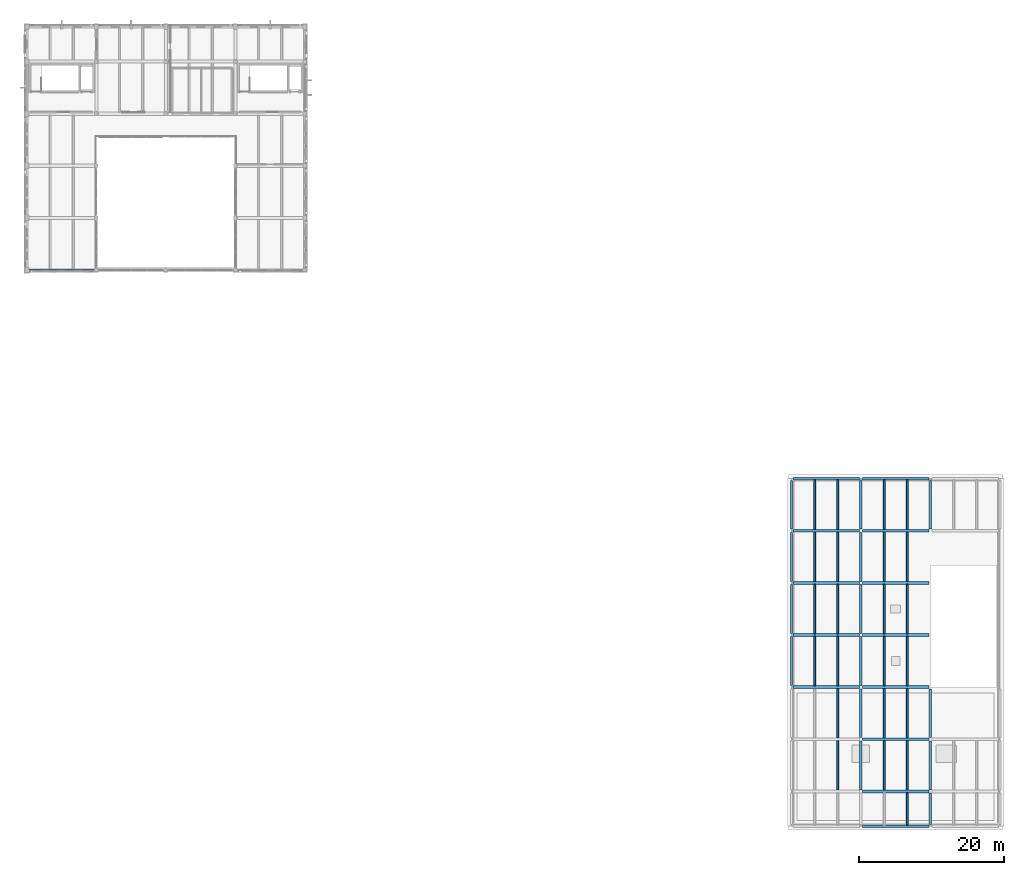
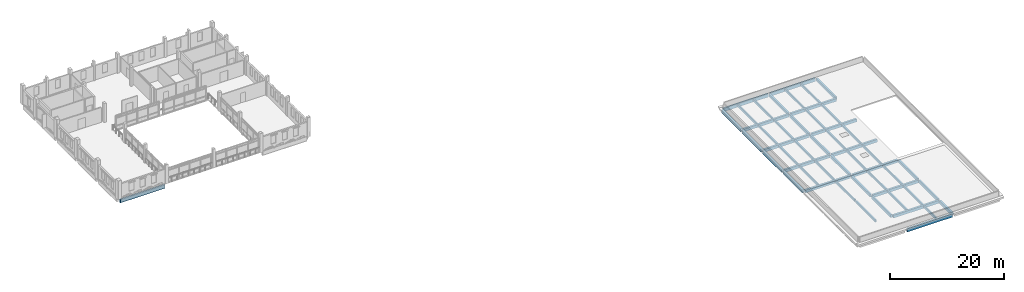
# One storey, part 2 of 24: 51 beams.
"""IFC4 building model written with IfcOpenShell, lengths in metres."""

from ifc_helpers import new_model, si_unit, direction, frame, origin, origin_2d, place, context, subcontext, project, spatial, rectangle, extrude, material, material_profile, profile_set, type_object, element, save


model = new_model("IFC4")

# Units and contexts
model_context = context("Model", 3, precision=1e-05, world=origin(), true_north=direction((0.0, 1.0)))
body_context = subcontext(model_context, "Body", "Model", "MODEL_VIEW")
ifc_project = project(units=[si_unit("LENGTHUNIT", "METRE"), si_unit("AREAUNIT", "SQUARE_METRE"), si_unit("VOLUMEUNIT", "CUBIC_METRE"), si_unit("PLANEANGLEUNIT", "RADIAN"), si_unit("MASSUNIT", "GRAM", prefix="KILO")], contexts=[model_context])

# Site, building, storey
site_placement = place(None, origin())
site = spatial("IfcSite", under=ifc_project, at=site_placement, CompositionType="ELEMENT")
building_placement = place(site_placement, origin())
building = spatial("IfcBuilding", under=site, at=building_placement, Name="Asteropetra Specialist Clinic", CompositionType="ELEMENT")
storey_placement = place(building_placement, frame((0.0, 0.0, 20.739990234375)))
storey = spatial("IfcBuildingStorey", under=building, at=storey_placement, Name="L05", CompositionType="ELEMENT", Elevation=20.739990234375)

# Beams
ifc_material_1 = material(Name="Concrete C35/45", Category="concrete")
ifc_material_profile_1 = material_profile(ifc_material_1, rectangle(XDim=0.35009765625, YDim=0.60009765625, at=origin_2d()), Name="RCB 350x600")
ifc_profile_set_1 = profile_set([ifc_material_profile_1], Name="Concrete C35/45")
beam_type_1 = type_object("IfcBeamType", Name="BM-RC350x600", PredefinedType="BEAM", material=ifc_profile_set_1)
beam_1_placement = place(storey_placement, frame((124.800048828125, 0.22509765625, -0.570068359375), z_axis=(0.0, 1.0, 0.0), x_axis=(-1.0, 0.0, 0.0)))
element("IfcBeam", 1, at=beam_1_placement, inside=storey, type_object=beam_type_1, Name="Beam BBM09-2064", PredefinedType="BEAM", context=body_context, shape_type="SweptSolid", body=[
    extrude(rectangle(XDim=0.35009765625, YDim=0.60009765625, at=origin_2d()), origin(), (0.0, 0.0, 1.0), 4.349853515625),
])
for number, where, z_axis, x_axis, name in (
    (2, (115.199951171875, 5.02490234375, -0.570068359375), (0.0, 1.0, 0.0), (-1.0, 0.0, 0.0), "Beam BBM09-2073"),
    (3, (124.800048828125, 5.02490234375, -0.570068359375), (0.0, 1.0, 0.0), (-1.0, 0.0, 0.0), "Beam BBM09-2074"),
    (4, (115.199951171875, 12.22509765625, -0.570068359375), (0.0, 1.0, 0.0), (-1.0, 0.0, 0.0), "Beam BBM09-2083"),
    (5, (124.800048828125, 12.22509765625, -0.570068359375), (0.0, 1.0, 0.0), (-1.0, 0.0, 0.0), "Beam BBM09-2084"),
    (6, (115.199951171875, 19.425048828125, -0.570068359375), (0.0, 1.0, 0.0), (-1.0, 0.0, 0.0), "Beam BBM09-2091"),
    (7, (115.199951171875, 26.625, -0.570068359375), (0.0, 1.0, 0.0), (-1.0, 0.0, 0.0), "Beam BBM09-2097"),
    (8, (115.199951171875, 33.824951171875, -0.570068359375), (0.0, 1.0, 0.0), (-1.0, 0.0, 0.0), "Beam BBM09-2103"),
    (9, (115.199951171875, 41.02490234375, -0.570068359375), (0.0, 1.0, 0.0), (-1.0, 0.0, 0.0), "Beam BBM09-2109"),
    (10, (124.800048828125, 41.02490234375, -0.570068359375), (0.0, 1.0, 0.0), (-1.0, 0.0, 0.0), "Beam BBM09-2110"),
):
    element("IfcBeam", number, at=place(storey_placement, frame(where, z_axis=z_axis, x_axis=x_axis)), inside=storey, type_object=beam_type_1, Name=name, PredefinedType="BEAM", context=body_context, shape_type="SweptSolid", body=[
        extrude(rectangle(XDim=0.35009765625, YDim=0.60009765625, at=origin_2d()), origin(), (0.0, 0.0, 1.0), 6.75),
    ])
ifc_material_2 = material(Name="Concrete C35/45", Category="concrete")
ifc_material_profile_2 = material_profile(ifc_material_2, rectangle(XDim=0.39990234375, YDim=0.60009765625, at=origin_2d()), Name="RCB 400x600")
ifc_profile_set_2 = profile_set([ifc_material_profile_2], Name="Concrete C35/45")
beam_type_2 = type_object("IfcBeamType", Name="BM-RC400x600", PredefinedType="BEAM", material=ifc_profile_set_2)
for number, where, z_axis, x_axis, name in (
    (11, (115.425048828125, 4.800048828125, -0.570068359375), (1.0, 0.0, 0.0), (0.0, 1.0, 0.0), "Beam BBM08-2045"),
    (12, (115.425048828125, 12.0, -0.570068359375), (1.0, 0.0, 0.0), (0.0, 1.0, 0.0), "Beam BBM08-2048"),
):
    element("IfcBeam", number, at=place(storey_placement, frame(where, z_axis=z_axis, x_axis=x_axis)), inside=storey, type_object=beam_type_2, Name=name, PredefinedType="BEAM", context=body_context, shape_type="SweptSolid", body=[
        extrude(rectangle(XDim=0.39990234375, YDim=0.60009765625, at=origin_2d()), origin(), (0.0, 0.0, 1.0), 9.14990234375),
    ])
beam_2_placement = place(storey_placement, frame((105.824951171875, 19.199951171875, -0.570068359375), z_axis=(1.0, 0.0, 0.0), x_axis=(0.0, 1.0, 0.0)))
element("IfcBeam", 13, at=beam_2_placement, inside=storey, type_object=beam_type_2, Name="Beam BBM08-2050", PredefinedType="BEAM", context=body_context, shape_type="SweptSolid", body=[
    extrude(rectangle(XDim=0.39990234375, YDim=0.60009765625, at=origin_2d()), origin(), (0.0, 0.0, 1.0), 9.150146484375),
])
beam_3_placement = place(storey_placement, frame((115.425048828125, 19.199951171875, -0.570068359375), z_axis=(1.0, 0.0, 0.0), x_axis=(0.0, 1.0, 0.0)))
element("IfcBeam", 14, at=beam_3_placement, inside=storey, type_object=beam_type_2, Name="Beam BBM08-2051", PredefinedType="BEAM", context=body_context, shape_type="SweptSolid", body=[
    extrude(rectangle(XDim=0.39990234375, YDim=0.60009765625, at=origin_2d()), origin(), (0.0, 0.0, 1.0), 9.14990234375),
])
beam_4_placement = place(storey_placement, frame((105.824951171875, 26.39990234375, -0.570068359375), z_axis=(1.0, 0.0, 0.0), x_axis=(0.0, 1.0, 0.0)))
element("IfcBeam", 15, at=beam_4_placement, inside=storey, type_object=beam_type_2, Name="Beam BBM08-2052", PredefinedType="BEAM", context=body_context, shape_type="SweptSolid", body=[
    extrude(rectangle(XDim=0.39990234375, YDim=0.60009765625, at=origin_2d()), origin(), (0.0, 0.0, 1.0), 9.150146484375),
])
beam_5_placement = place(storey_placement, frame((115.425048828125, 26.39990234375, -0.570068359375), z_axis=(1.0, 0.0, 0.0), x_axis=(0.0, 1.0, 0.0)))
element("IfcBeam", 16, at=beam_5_placement, inside=storey, type_object=beam_type_2, Name="Beam BBM08-2053", PredefinedType="BEAM", context=body_context, shape_type="SweptSolid", body=[
    extrude(rectangle(XDim=0.39990234375, YDim=0.60009765625, at=origin_2d()), origin(), (0.0, 0.0, 1.0), 9.14990234375),
])
beam_6_placement = place(storey_placement, frame((105.824951171875, 33.60009765625, -0.570068359375), z_axis=(1.0, 0.0, 0.0), x_axis=(0.0, 1.0, 0.0)))
element("IfcBeam", 17, at=beam_6_placement, inside=storey, type_object=beam_type_2, Name="Beam BBM08-2054", PredefinedType="BEAM", context=body_context, shape_type="SweptSolid", body=[
    extrude(rectangle(XDim=0.39990234375, YDim=0.60009765625, at=origin_2d()), origin(), (0.0, 0.0, 1.0), 9.150146484375),
])
beam_7_placement = place(storey_placement, frame((115.425048828125, 33.60009765625, -0.570068359375), z_axis=(1.0, 0.0, 0.0), x_axis=(0.0, 1.0, 0.0)))
element("IfcBeam", 18, at=beam_7_placement, inside=storey, type_object=beam_type_2, Name="Beam BBM08-2055", PredefinedType="BEAM", context=body_context, shape_type="SweptSolid", body=[
    extrude(rectangle(XDim=0.39990234375, YDim=0.60009765625, at=origin_2d()), origin(), (0.0, 0.0, 1.0), 9.14990234375),
])
beam_8_placement = place(storey_placement, frame((105.824951171875, 40.800048828125, -0.570068359375), z_axis=(1.0, 0.0, 0.0), x_axis=(0.0, 1.0, 0.0)))
element("IfcBeam", 19, at=beam_8_placement, inside=storey, type_object=beam_type_2, Name="Beam BBM08-2056", PredefinedType="BEAM", context=body_context, shape_type="SweptSolid", body=[
    extrude(rectangle(XDim=0.39990234375, YDim=0.60009765625, at=origin_2d()), origin(), (0.0, 0.0, 1.0), 9.150146484375),
])
beam_9_placement = place(storey_placement, frame((115.425048828125, 40.800048828125, -0.570068359375), z_axis=(1.0, 0.0, 0.0), x_axis=(0.0, 1.0, 0.0)))
element("IfcBeam", 20, at=beam_9_placement, inside=storey, type_object=beam_type_2, Name="Beam BBM08-2057", PredefinedType="BEAM", context=body_context, shape_type="SweptSolid", body=[
    extrude(rectangle(XDim=0.39990234375, YDim=0.60009765625, at=origin_2d()), origin(), (0.0, 0.0, 1.0), 9.14990234375),
])
ifc_material_3 = material(Name="Concrete C35/45", Category="concrete")
ifc_material_profile_3 = material_profile(ifc_material_3, rectangle(XDim=0.260009765625, YDim=0.47998046875, at=origin_2d()), Name="RCJ 260x480")
ifc_profile_set_3 = profile_set([ifc_material_profile_3], Name="Concrete C35/45")
beam_type_3 = type_object("IfcBeamType", Name="JST-RC260x480", PredefinedType="JOIST", material=ifc_profile_set_3)
beam_10_placement = place(storey_placement, frame((121.60009765625, 0.159912109375, -0.510009765625), z_axis=(0.0, 1.0, 0.0), x_axis=(-1.0, 0.0, 0.0)))
element("IfcBeam", 21, at=beam_10_placement, inside=storey, type_object=beam_type_3, Name="Joist JJST02-2069", PredefinedType="JOIST", context=body_context, shape_type="SweptSolid", body=[
    extrude(rectangle(XDim=0.260009765625, YDim=0.47998046875, at=origin_2d()), origin(), (0.0, 0.0, 1.0), 4.440185546875),
])
for number, where, z_axis, x_axis, name in (
    (22, (112.0, 5.0, -0.510009765625), (0.0, 1.0, 0.0), (-1.0, 0.0, 0.0), "Joist JJST02-2077"),
    (23, (118.39990234375, 5.0, -0.510009765625), (0.0, 1.0, 0.0), (-1.0, 0.0, 0.0), "Joist JJST02-2078"),
    (24, (121.60009765625, 5.0, -0.510009765625), (0.0, 1.0, 0.0), (-1.0, 0.0, 0.0), "Joist JJST02-2079"),
    (25, (112.0, 12.199951171875, -0.510009765625), (0.0, 1.0, 0.0), (-1.0, 0.0, 0.0), "Joist JJST02-2087"),
    (26, (118.39990234375, 12.199951171875, -0.510009765625), (0.0, 1.0, 0.0), (-1.0, 0.0, 0.0), "Joist JJST02-2088"),
    (27, (121.60009765625, 12.199951171875, -0.510009765625), (0.0, 1.0, 0.0), (-1.0, 0.0, 0.0), "Joist JJST02-2089"),
    (28, (108.800048828125, 19.39990234375, -0.510009765625), (0.0, 1.0, 0.0), (-1.0, 0.0, 0.0), "Joist JJST02-2092"),
    (29, (112.0, 19.39990234375, -0.510009765625), (0.0, 1.0, 0.0), (-1.0, 0.0, 0.0), "Joist JJST02-2093"),
    (30, (118.39990234375, 19.39990234375, -0.510009765625), (0.0, 1.0, 0.0), (-1.0, 0.0, 0.0), "Joist JJST02-2094"),
    (31, (121.60009765625, 19.39990234375, -0.510009765625), (0.0, 1.0, 0.0), (-1.0, 0.0, 0.0), "Joist JJST02-2095"),
):
    element("IfcBeam", number, at=place(storey_placement, frame(where, z_axis=z_axis, x_axis=x_axis)), inside=storey, type_object=beam_type_3, Name=name, PredefinedType="JOIST", context=body_context, shape_type="SweptSolid", body=[
        extrude(rectangle(XDim=0.260009765625, YDim=0.47998046875, at=origin_2d()), origin(), (0.0, 0.0, 1.0), 6.800048828125),
    ])
for number, where, z_axis, x_axis, name in (
    (32, (108.800048828125, 26.60009765625, -0.510009765625), (0.0, 1.0, 0.0), (-1.0, 0.0, 0.0), "Joist JJST02-2098"),
    (33, (112.0, 26.60009765625, -0.510009765625), (0.0, 1.0, 0.0), (-1.0, 0.0, 0.0), "Joist JJST02-2099"),
    (34, (118.39990234375, 26.60009765625, -0.510009765625), (0.0, 1.0, 0.0), (-1.0, 0.0, 0.0), "Joist JJST02-2100"),
    (35, (121.60009765625, 26.60009765625, -0.510009765625), (0.0, 1.0, 0.0), (-1.0, 0.0, 0.0), "Joist JJST02-2101"),
):
    element("IfcBeam", number, at=place(storey_placement, frame(where, z_axis=z_axis, x_axis=x_axis)), inside=storey, type_object=beam_type_3, Name=name, PredefinedType="JOIST", context=body_context, shape_type="SweptSolid", body=[
        extrude(rectangle(XDim=0.260009765625, YDim=0.47998046875, at=origin_2d()), origin(), (0.0, 0.0, 1.0), 6.7998046875),
    ])
for number, where, z_axis, x_axis, name in (
    (36, (108.800048828125, 33.800048828125, -0.510009765625), (0.0, 1.0, 0.0), (-1.0, 0.0, 0.0), "Joist JJST02-2104"),
    (37, (112.0, 33.800048828125, -0.510009765625), (0.0, 1.0, 0.0), (-1.0, 0.0, 0.0), "Joist JJST02-2105"),
    (38, (118.39990234375, 33.800048828125, -0.510009765625), (0.0, 1.0, 0.0), (-1.0, 0.0, 0.0), "Joist JJST02-2106"),
    (39, (121.60009765625, 33.800048828125, -0.510009765625), (0.0, 1.0, 0.0), (-1.0, 0.0, 0.0), "Joist JJST02-2107"),
):
    element("IfcBeam", number, at=place(storey_placement, frame(where, z_axis=z_axis, x_axis=x_axis)), inside=storey, type_object=beam_type_3, Name=name, PredefinedType="JOIST", context=body_context, shape_type="SweptSolid", body=[
        extrude(rectangle(XDim=0.260009765625, YDim=0.47998046875, at=origin_2d()), origin(), (0.0, 0.0, 1.0), 6.800048828125),
    ])
for number, where, z_axis, x_axis, name in (
    (40, (108.800048828125, 41.0, -0.510009765625), (0.0, 1.0, 0.0), (-1.0, 0.0, 0.0), "Joist JJST02-2112"),
    (41, (112.0, 41.0, -0.510009765625), (0.0, 1.0, 0.0), (-1.0, 0.0, 0.0), "Joist JJST02-2113"),
    (42, (118.39990234375, 41.0, -0.510009765625), (0.0, 1.0, 0.0), (-1.0, 0.0, 0.0), "Joist JJST02-2114"),
    (43, (121.60009765625, 41.0, -0.510009765625), (0.0, 1.0, 0.0), (-1.0, 0.0, 0.0), "Joist JJST02-2115"),
):
    element("IfcBeam", number, at=place(storey_placement, frame(where, z_axis=z_axis, x_axis=x_axis)), inside=storey, type_object=beam_type_3, Name=name, PredefinedType="JOIST", context=body_context, shape_type="SweptSolid", body=[
        extrude(rectangle(XDim=0.260009765625, YDim=0.47998046875, at=origin_2d()), origin(), (0.0, 0.0, 1.0), 6.840087890625),
    ])
ifc_material_4 = material(Name="Concrete C35/45", Category="concrete")
ifc_material_profile_4 = material_profile(ifc_material_4, rectangle(XDim=0.320068359375, YDim=0.699951171875, at=origin_2d()), Name="RCS 320x700")
ifc_profile_set_4 = profile_set([ifc_material_profile_4], Name="Concrete C35/45")
beam_type_4 = type_object("IfcBeamType", Name="SPN-RC320x700", PredefinedType="SPANDREL", material=ifc_profile_set_4)
beam_11_placement = place(storey_placement, frame((0.27490234375, 76.800048828125, -0.6298828125), z_axis=(1.0, 0.0, 0.0), x_axis=(0.0, 1.0, 0.0)))
element("IfcBeam", 44, at=beam_11_placement, inside=storey, type_object=beam_type_4, Name="Beam BSPN02-1983", PredefinedType="SPANDREL", context=body_context, shape_type="SweptSolid", body=[
    extrude(rectangle(XDim=0.320068359375, YDim=0.699951171875, at=origin_2d()), origin(), (0.0, 0.0, 1.0), 9.050048828125),
])
beam_12_placement = place(storey_placement, frame((115.425048828125, 0.0, -0.619873046875), z_axis=(1.0, 0.0, 0.0), x_axis=(0.0, 1.0, 0.0)))
element("IfcBeam", 45, at=beam_12_placement, inside=storey, type_object=beam_type_4, Name="Beam BSPN02-2042", PredefinedType="SPANDREL", context=body_context, shape_type="SweptSolid", body=[
    extrude(rectangle(XDim=0.320068359375, YDim=0.699951171875, at=origin_2d()), origin(), (0.0, 0.0, 1.0), 9.14990234375),
])
beam_13_placement = place(storey_placement, frame((105.824951171875, 48.0, -0.619873046875), z_axis=(1.0, 0.0, 0.0), x_axis=(0.0, 1.0, 0.0)))
element("IfcBeam", 46, at=beam_13_placement, inside=storey, type_object=beam_type_4, Name="Beam BSPN02-2059", PredefinedType="SPANDREL", context=body_context, shape_type="SweptSolid", body=[
    extrude(rectangle(XDim=0.320068359375, YDim=0.699951171875, at=origin_2d()), origin(), (0.0, 0.0, 1.0), 9.150146484375),
])
beam_14_placement = place(storey_placement, frame((115.425048828125, 48.0, -0.619873046875), z_axis=(1.0, 0.0, 0.0), x_axis=(0.0, 1.0, 0.0)))
element("IfcBeam", 47, at=beam_14_placement, inside=storey, type_object=beam_type_4, Name="Beam BSPN02-2060", PredefinedType="SPANDREL", context=body_context, shape_type="SweptSolid", body=[
    extrude(rectangle(XDim=0.320068359375, YDim=0.699951171875, at=origin_2d()), origin(), (0.0, 0.0, 1.0), 9.14990234375),
])
for number, where, z_axis, x_axis, name in (
    (48, (105.60009765625, 19.425048828125, -0.619873046875), (0.0, 1.0, 0.0), (-1.0, 0.0, 0.0), "Beam BSPN02-2090"),
    (49, (105.60009765625, 26.625, -0.619873046875), (0.0, 1.0, 0.0), (-1.0, 0.0, 0.0), "Beam BSPN02-2096"),
    (50, (105.60009765625, 33.824951171875, -0.619873046875), (0.0, 1.0, 0.0), (-1.0, 0.0, 0.0), "Beam BSPN02-2102"),
    (51, (105.60009765625, 41.02490234375, -0.619873046875), (0.0, 1.0, 0.0), (-1.0, 0.0, 0.0), "Beam BSPN02-2108"),
):
    element("IfcBeam", number, at=place(storey_placement, frame(where, z_axis=z_axis, x_axis=x_axis)), inside=storey, type_object=beam_type_4, Name=name, PredefinedType="SPANDREL", context=body_context, shape_type="SweptSolid", body=[
        extrude(rectangle(XDim=0.320068359375, YDim=0.699951171875, at=origin_2d()), origin(), (0.0, 0.0, 1.0), 6.75),
    ])

save(model, "model.ifc")
